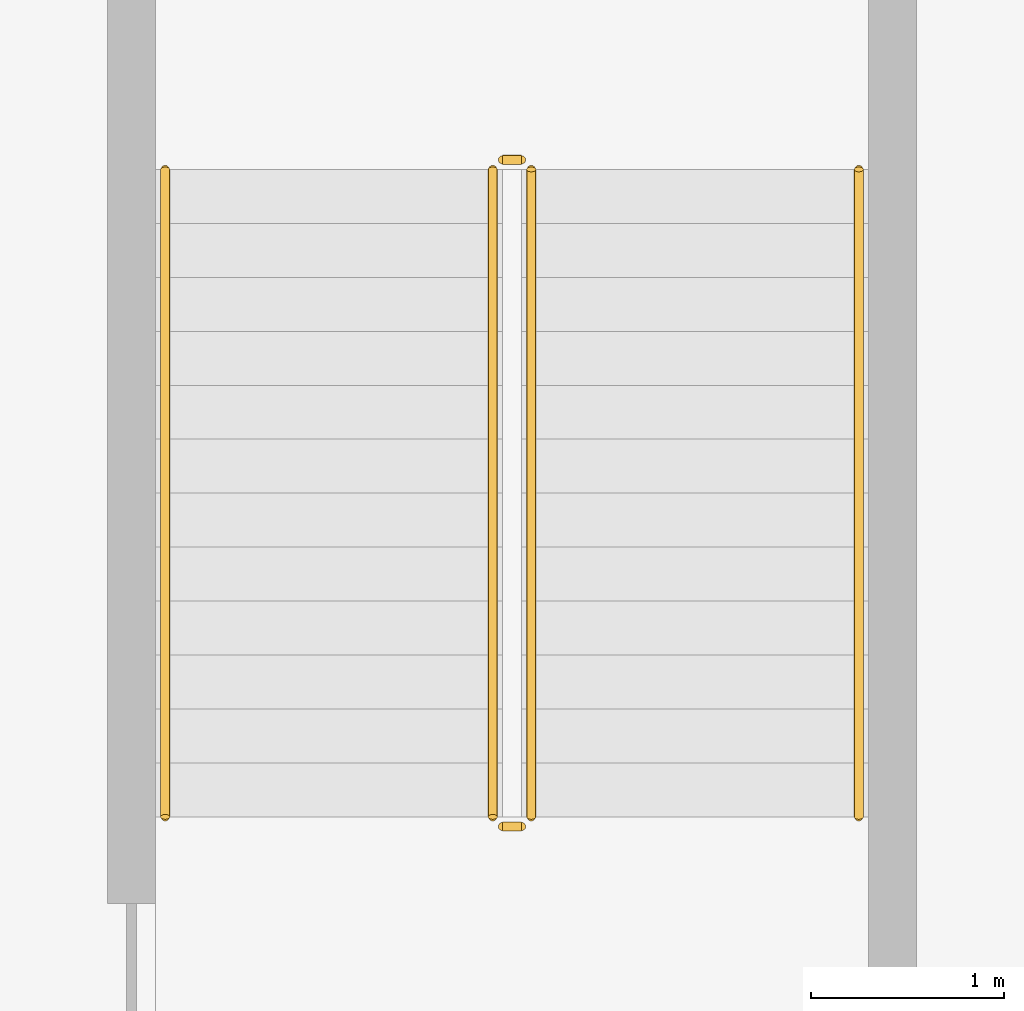
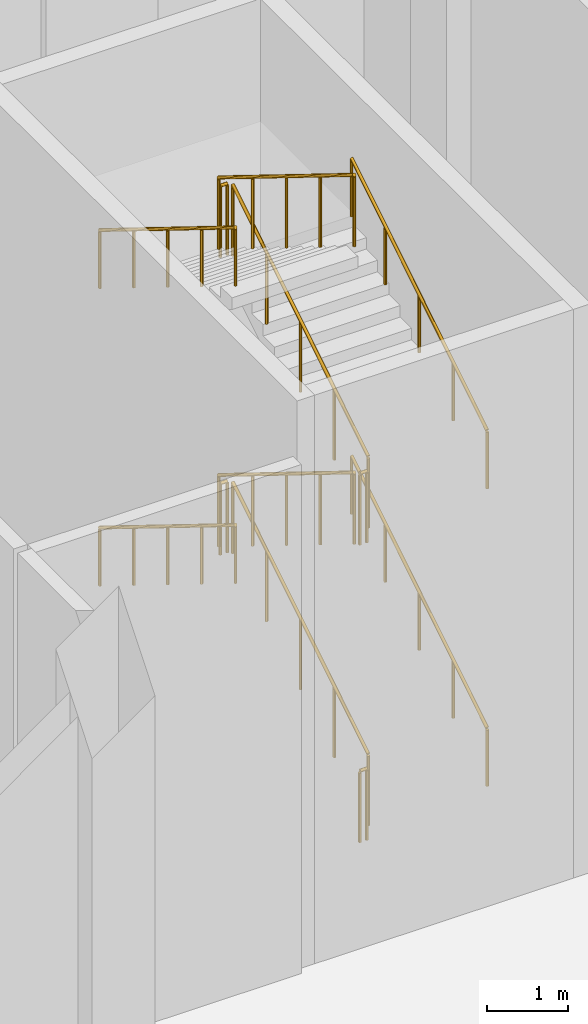
# One storey, part 40 of 43: 12 railings.
"""IFC4 building model written with IfcOpenShell, lengths in metres."""

from ifc_helpers import new_model, si_unit, direction, frame, origin, origin_2d, place, context, subcontext, project, spatial, circle, extrude, material, type_object, element, save


model = new_model("IFC4")

# Units and contexts
model_context = context("Model", 3, precision=1e-05, world=origin(), true_north=direction((0.0, 1.0)))
body_context = subcontext(model_context, "Body", "Model", "MODEL_VIEW")
ifc_project = project(units=[si_unit("LENGTHUNIT", "METRE"), si_unit("AREAUNIT", "SQUARE_METRE"), si_unit("VOLUMEUNIT", "CUBIC_METRE"), si_unit("PLANEANGLEUNIT", "RADIAN"), si_unit("MASSUNIT", "GRAM", prefix="KILO")], contexts=[model_context])

# Site, building, storey
site_placement = place(None, origin())
site = spatial("IfcSite", under=ifc_project, at=site_placement, CompositionType="ELEMENT")
building_placement = place(site_placement, origin())
building = spatial("IfcBuilding", under=site, at=building_placement, Name="Kilnfold Tower and Market Hall", CompositionType="ELEMENT")
storey_placement = place(building_placement, origin())
storey = spatial("IfcBuildingStorey", under=building, at=storey_placement, Name="L00", CompositionType="ELEMENT", Elevation=0.0)

# Railings
ifc_material_1 = material(Name="Steel S355", Category="steel")
railing_type_1 = type_object("IfcRailingType", Name="HALL STAIR GUARD 1100", PredefinedType="GUARDRAIL", material=ifc_material_1)
railing_1_placement = place(storey_placement, frame((-12.550048828125, 46.699951171875, 0.173095703125)))
element("IfcRailing", 1, at=railing_1_placement, inside=storey, type_object=railing_type_1, Name="L00 MS4 stair guard 1", PredefinedType="GUARDRAIL", context=body_context, shape_type="SweptSolid", body=[
    extrude(circle(Radius=0.02392578125, at=origin_2d()), frame((0.0, 0.0, 1.076171875), z_axis=(0.0, 0.850623216509, 0.525775754039), x_axis=(-1.0, 0.0, 0.0)), (0.0, 0.0, 1.0), 3.9501953125),
    extrude(circle(Radius=0.02099609375, at=origin_2d()), origin(), (0.0, 0.0, 1.0), 1.052001953125),
    extrude(circle(Radius=0.02099609375, at=origin_2d()), frame((0.0, 0.840087890625, 0.519287109375)), (0.0, 0.0, 1.0), 1.052001953125),
    extrude(circle(Radius=0.02099609375, at=origin_2d()), frame((0.0, 1.68017578125, 1.03857421875)), (0.0, 0.0, 1.0), 1.052001953125),
    extrude(circle(Radius=0.02099609375, at=origin_2d()), frame((0.0, 2.52001953125, 1.5576171875)), (0.0, 0.0, 1.0), 1.052001953125),
    extrude(circle(Radius=0.02099609375, at=origin_2d()), frame((0.0, 3.360107421875, 2.076904296875)), (0.0, 0.0, 1.0), 1.052001953125),
])
railing_2_placement = place(storey_placement, frame((-12.60009765625, 50.110107421875, 2.25)))
element("IfcRailing", 2, at=railing_2_placement, inside=storey, type_object=railing_type_1, Name="L00 MS4 stair guard 2", PredefinedType="GUARDRAIL", context=body_context, shape_type="SweptSolid", body=[
    extrude(circle(Radius=0.02392578125, at=origin_2d()), frame((0.0, 0.0, 1.076171875), z_axis=(-1.0, 0.0, 0.0), x_axis=(0.0, -1.0, 0.0)), (0.0, 0.0, 1.0), 0.099853515625),
    extrude(circle(Radius=0.02099609375, at=origin_2d()), origin(), (0.0, 0.0, 1.0), 1.052001953125),
    extrude(circle(Radius=0.02099609375, at=origin_2d()), frame((-0.099853515625, 0.0, 0.0)), (0.0, 0.0, 1.0), 1.052001953125),
])
railing_3_placement = place(storey_placement, frame((-12.75, 50.06005859375, 2.423095703125)))
element("IfcRailing", 3, at=railing_3_placement, inside=storey, type_object=railing_type_1, Name="L00 MS4 stair guard 3", PredefinedType="GUARDRAIL", context=body_context, shape_type="SweptSolid", body=[
    extrude(circle(Radius=0.02392578125, at=origin_2d()), frame((0.0, 0.0, 1.076171875), z_axis=(0.0, -0.850623216509, 0.525775754039), x_axis=(1.0, 0.0, 0.0)), (0.0, 0.0, 1.0), 3.9501953125),
    extrude(circle(Radius=0.02099609375, at=origin_2d()), origin(), (0.0, 0.0, 1.0), 1.052001953125),
    extrude(circle(Radius=0.02099609375, at=origin_2d()), frame((0.0, -0.840087890625, 0.519287109375)), (0.0, 0.0, 1.0), 1.052001953125),
    extrude(circle(Radius=0.02099609375, at=origin_2d()), frame((0.0, -1.68017578125, 1.03857421875)), (0.0, 0.0, 1.0), 1.052001953125),
    extrude(circle(Radius=0.02099609375, at=origin_2d()), frame((0.0, -2.52001953125, 1.5576171875)), (0.0, 0.0, 1.0), 1.052001953125),
    extrude(circle(Radius=0.02099609375, at=origin_2d()), frame((0.0, -3.360107421875, 2.076904296875)), (0.0, 0.0, 1.0), 1.052001953125),
])
railing_4_placement = place(storey_placement, frame((-12.60009765625, 46.64990234375, 4.5)))
element("IfcRailing", 4, at=railing_4_placement, inside=storey, type_object=railing_type_1, Name="L00 MS4 stair guard 4", PredefinedType="GUARDRAIL", context=body_context, shape_type="SweptSolid", body=[
    extrude(circle(Radius=0.02392578125, at=origin_2d()), frame((0.0, 0.0, 1.076171875), z_axis=(-1.0, 0.0, 0.0), x_axis=(0.0, -1.0, 0.0)), (0.0, 0.0, 1.0), 0.099853515625),
    extrude(circle(Radius=0.02099609375, at=origin_2d()), origin(), (0.0, 0.0, 1.0), 1.052001953125),
    extrude(circle(Radius=0.02099609375, at=origin_2d()), frame((-0.099853515625, 0.0, 0.0)), (0.0, 0.0, 1.0), 1.052001953125),
])
railing_5_placement = place(storey_placement, frame((-12.550048828125, 46.699951171875, 4.673095703125)))
element("IfcRailing", 5, at=railing_5_placement, inside=storey, type_object=railing_type_1, Name="L00 MS4 stair guard 5", PredefinedType="GUARDRAIL", context=body_context, shape_type="SweptSolid", body=[
    extrude(circle(Radius=0.02392578125, at=origin_2d()), frame((0.0, 0.0, 1.076171875), z_axis=(0.0, 0.850623216509, 0.525775754039), x_axis=(-1.0, 0.0, 0.0)), (0.0, 0.0, 1.0), 3.9501953125),
    extrude(circle(Radius=0.02099609375, at=origin_2d()), origin(), (0.0, 0.0, 1.0), 1.052001953125),
    extrude(circle(Radius=0.02099609375, at=origin_2d()), frame((0.0, 0.840087890625, 0.519287109375)), (0.0, 0.0, 1.0), 1.052001953125),
    extrude(circle(Radius=0.02099609375, at=origin_2d()), frame((0.0, 1.68017578125, 1.03857421875)), (0.0, 0.0, 1.0), 1.052001953125),
    extrude(circle(Radius=0.02099609375, at=origin_2d()), frame((0.0, 2.52001953125, 1.5576171875)), (0.0, 0.0, 1.0), 1.052001953125),
    extrude(circle(Radius=0.02099609375, at=origin_2d()), frame((0.0, 3.360107421875, 2.076904296875)), (0.0, 0.0, 1.0), 1.052001953125),
])
railing_6_placement = place(storey_placement, frame((-12.60009765625, 50.110107421875, 6.75)))
element("IfcRailing", 6, at=railing_6_placement, inside=storey, type_object=railing_type_1, Name="L00 MS4 stair guard 6", PredefinedType="GUARDRAIL", context=body_context, shape_type="SweptSolid", body=[
    extrude(circle(Radius=0.02392578125, at=origin_2d()), frame((0.0, 0.0, 1.076171875), z_axis=(-1.0, 0.0, 0.0), x_axis=(0.0, -1.0, 0.0)), (0.0, 0.0, 1.0), 0.099853515625),
    extrude(circle(Radius=0.02099609375, at=origin_2d()), origin(), (0.0, 0.0, 1.0), 1.052001953125),
    extrude(circle(Radius=0.02099609375, at=origin_2d()), frame((-0.099853515625, 0.0, 0.0)), (0.0, 0.0, 1.0), 1.052001953125),
])
railing_7_placement = place(storey_placement, frame((-12.75, 50.06005859375, 6.923095703125)))
element("IfcRailing", 7, at=railing_7_placement, inside=storey, type_object=railing_type_1, Name="L00 MS4 stair guard 7", PredefinedType="GUARDRAIL", context=body_context, shape_type="SweptSolid", body=[
    extrude(circle(Radius=0.02392578125, at=origin_2d()), frame((0.0, 0.0, 1.076171875), z_axis=(0.0, -0.850623216509, 0.525775754039), x_axis=(1.0, 0.0, 0.0)), (0.0, 0.0, 1.0), 3.9501953125),
    extrude(circle(Radius=0.02099609375, at=origin_2d()), origin(), (0.0, 0.0, 1.0), 1.052001953125),
    extrude(circle(Radius=0.02099609375, at=origin_2d()), frame((0.0, -0.840087890625, 0.519287109375)), (0.0, 0.0, 1.0), 1.052001953125),
    extrude(circle(Radius=0.02099609375, at=origin_2d()), frame((0.0, -1.68017578125, 1.03857421875)), (0.0, 0.0, 1.0), 1.052001953125),
    extrude(circle(Radius=0.02099609375, at=origin_2d()), frame((0.0, -2.52001953125, 1.5576171875)), (0.0, 0.0, 1.0), 1.052001953125),
    extrude(circle(Radius=0.02099609375, at=origin_2d()), frame((0.0, -3.360107421875, 2.076904296875)), (0.0, 0.0, 1.0), 1.052001953125),
])
railing_8_placement = place(storey_placement, frame((-12.60009765625, 46.64990234375, 0.0)))
element("IfcRailing", 8, at=railing_8_placement, inside=storey, type_object=railing_type_1, Name="L00 MS4 stair guard 8", PredefinedType="GUARDRAIL", context=body_context, shape_type="SweptSolid", body=[
    extrude(circle(Radius=0.02392578125, at=origin_2d()), frame((0.0, 0.0, 1.076171875), z_axis=(-1.0, 0.0, 0.0), x_axis=(0.0, -1.0, 0.0)), (0.0, 0.0, 1.0), 0.099853515625),
    extrude(circle(Radius=0.02099609375, at=origin_2d()), origin(), (0.0, 0.0, 1.0), 1.052001953125),
    extrude(circle(Radius=0.02099609375, at=origin_2d()), frame((-0.099853515625, 0.0, 0.0)), (0.0, 0.0, 1.0), 1.052001953125),
])
ifc_material_2 = material(Name="Steel S355", Category="steel")
railing_type_2 = type_object("IfcRailingType", Name="HALL STAIR HANDRAIL", PredefinedType="HANDRAIL", material=ifc_material_2)
railing_9_placement = place(storey_placement, frame((-10.85009765625, 46.699951171875, 0.173095703125)))
element("IfcRailing", 9, at=railing_9_placement, inside=storey, type_object=railing_type_2, Name="L00 MS4 stair handrail 1", PredefinedType="HANDRAIL", context=body_context, shape_type="SweptSolid", body=[
    extrude(circle(Radius=0.02392578125, at=origin_2d()), frame((0.0, 0.0, 0.8759765625), z_axis=(0.0, 0.850623216509, 0.525775754039), x_axis=(-1.0, 0.0, 0.0)), (0.0, 0.0, 1.0), 3.9501953125),
    extrude(circle(Radius=0.02099609375, at=origin_2d()), origin(), (0.0, 0.0, 1.0), 0.851806640625),
    extrude(circle(Radius=0.02099609375, at=origin_2d()), frame((0.0, 0.840087890625, 0.519287109375)), (0.0, 0.0, 1.0), 0.851806640625),
    extrude(circle(Radius=0.02099609375, at=origin_2d()), frame((0.0, 1.68017578125, 1.03857421875)), (0.0, 0.0, 1.0), 0.851806640625),
    extrude(circle(Radius=0.02099609375, at=origin_2d()), frame((0.0, 2.52001953125, 1.5576171875)), (0.0, 0.0, 1.0), 0.851806640625),
    extrude(circle(Radius=0.02099609375, at=origin_2d()), frame((0.0, 3.360107421875, 2.076904296875)), (0.0, 0.0, 1.0), 0.851806640625),
])
railing_10_placement = place(storey_placement, frame((-14.449951171875, 50.06005859375, 2.423095703125)))
element("IfcRailing", 10, at=railing_10_placement, inside=storey, type_object=railing_type_2, Name="L00 MS4 stair handrail 2", PredefinedType="HANDRAIL", context=body_context, shape_type="SweptSolid", body=[
    extrude(circle(Radius=0.02392578125, at=origin_2d()), frame((0.0, 0.0, 0.8759765625), z_axis=(0.0, -0.850623216509, 0.525775754039), x_axis=(1.0, 0.0, 0.0)), (0.0, 0.0, 1.0), 3.9501953125),
    extrude(circle(Radius=0.02099609375, at=origin_2d()), origin(), (0.0, 0.0, 1.0), 0.851806640625),
    extrude(circle(Radius=0.02099609375, at=origin_2d()), frame((0.0, -0.840087890625, 0.519287109375)), (0.0, 0.0, 1.0), 0.851806640625),
    extrude(circle(Radius=0.02099609375, at=origin_2d()), frame((0.0, -1.68017578125, 1.03857421875)), (0.0, 0.0, 1.0), 0.851806640625),
    extrude(circle(Radius=0.02099609375, at=origin_2d()), frame((0.0, -2.52001953125, 1.5576171875)), (0.0, 0.0, 1.0), 0.851806640625),
    extrude(circle(Radius=0.02099609375, at=origin_2d()), frame((0.0, -3.360107421875, 2.076904296875)), (0.0, 0.0, 1.0), 0.851806640625),
])
railing_11_placement = place(storey_placement, frame((-10.85009765625, 46.699951171875, 4.673095703125)))
element("IfcRailing", 11, at=railing_11_placement, inside=storey, type_object=railing_type_2, Name="L00 MS4 stair handrail 3", PredefinedType="HANDRAIL", context=body_context, shape_type="SweptSolid", body=[
    extrude(circle(Radius=0.02392578125, at=origin_2d()), frame((0.0, 0.0, 0.8759765625), z_axis=(0.0, 0.850623216509, 0.525775754039), x_axis=(-1.0, 0.0, 0.0)), (0.0, 0.0, 1.0), 3.9501953125),
    extrude(circle(Radius=0.02099609375, at=origin_2d()), origin(), (0.0, 0.0, 1.0), 0.851806640625),
    extrude(circle(Radius=0.02099609375, at=origin_2d()), frame((0.0, 0.840087890625, 0.519287109375)), (0.0, 0.0, 1.0), 0.851806640625),
    extrude(circle(Radius=0.02099609375, at=origin_2d()), frame((0.0, 1.68017578125, 1.03857421875)), (0.0, 0.0, 1.0), 0.851806640625),
    extrude(circle(Radius=0.02099609375, at=origin_2d()), frame((0.0, 2.52001953125, 1.5576171875)), (0.0, 0.0, 1.0), 0.851806640625),
    extrude(circle(Radius=0.02099609375, at=origin_2d()), frame((0.0, 3.360107421875, 2.076904296875)), (0.0, 0.0, 1.0), 0.851806640625),
])
railing_12_placement = place(storey_placement, frame((-14.449951171875, 50.06005859375, 6.923095703125)))
element("IfcRailing", 12, at=railing_12_placement, inside=storey, type_object=railing_type_2, Name="L00 MS4 stair handrail 4", PredefinedType="HANDRAIL", context=body_context, shape_type="SweptSolid", body=[
    extrude(circle(Radius=0.02392578125, at=origin_2d()), frame((0.0, 0.0, 0.8759765625), z_axis=(0.0, -0.850623216509, 0.525775754039), x_axis=(1.0, 0.0, 0.0)), (0.0, 0.0, 1.0), 3.9501953125),
    extrude(circle(Radius=0.02099609375, at=origin_2d()), origin(), (0.0, 0.0, 1.0), 0.851806640625),
    extrude(circle(Radius=0.02099609375, at=origin_2d()), frame((0.0, -0.840087890625, 0.519287109375)), (0.0, 0.0, 1.0), 0.851806640625),
    extrude(circle(Radius=0.02099609375, at=origin_2d()), frame((0.0, -1.68017578125, 1.03857421875)), (0.0, 0.0, 1.0), 0.851806640625),
    extrude(circle(Radius=0.02099609375, at=origin_2d()), frame((0.0, -2.52001953125, 1.5576171875)), (0.0, 0.0, 1.0), 0.851806640625),
    extrude(circle(Radius=0.02099609375, at=origin_2d()), frame((0.0, -3.360107421875, 2.076904296875)), (0.0, 0.0, 1.0), 0.851806640625),
])

save(model, "model.ifc")
